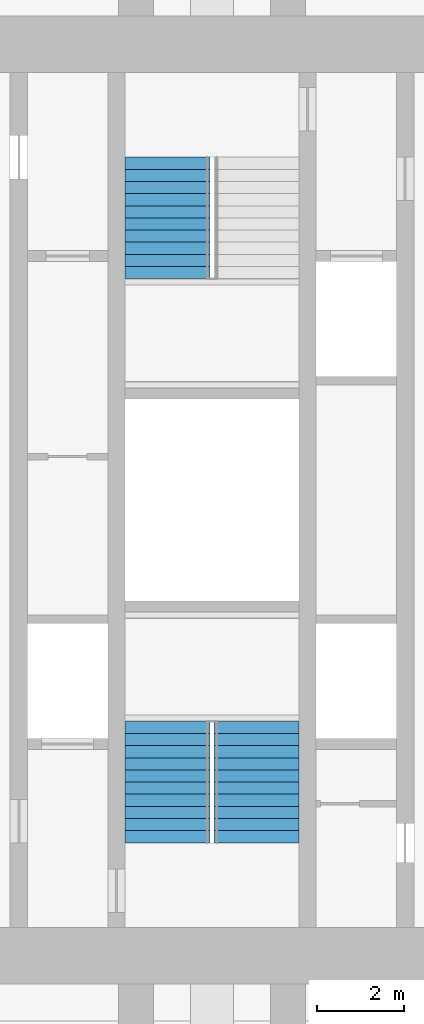
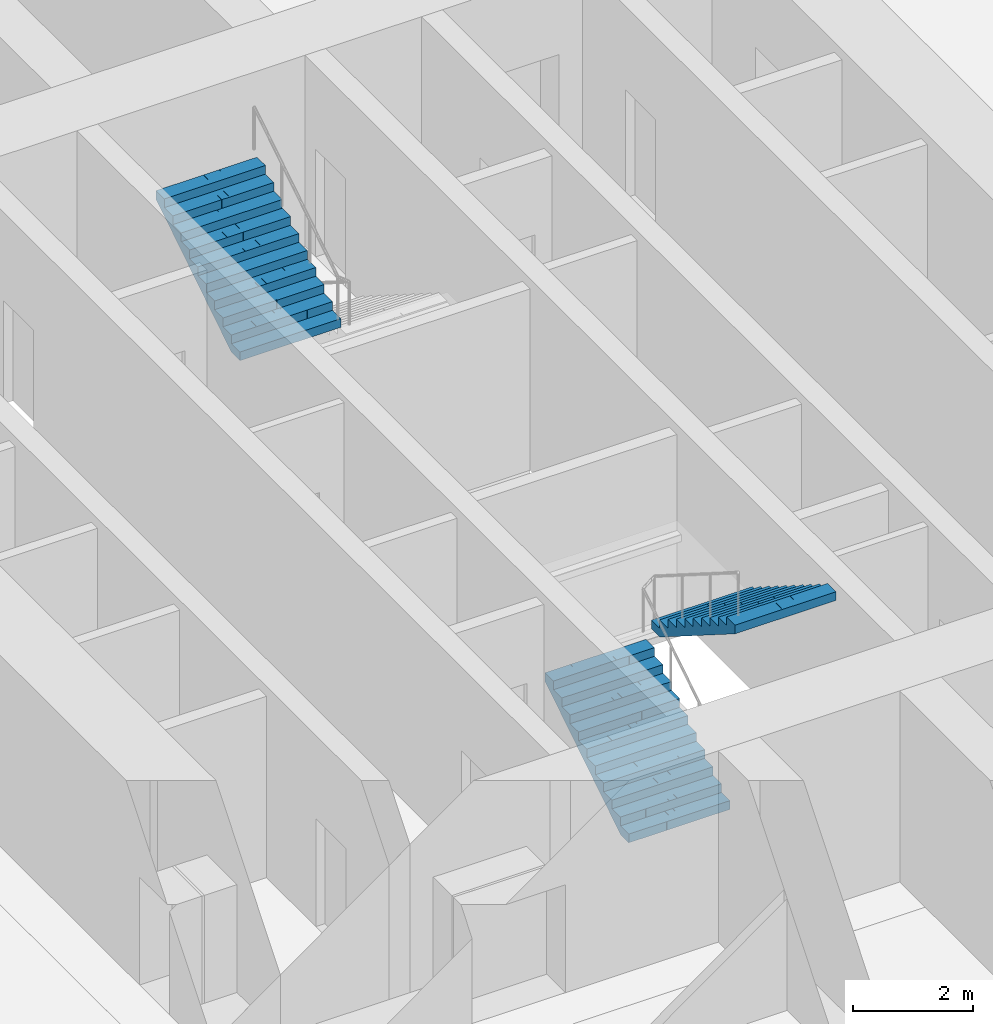
# One storey, part 20 of 22: 3 stair flights, 2 elements without a shape of their own.
"""IFC4 building model written with IfcOpenShell, lengths in metres."""

from ifc_helpers import new_model, si_unit, direction, frame, origin, place, context, subcontext, project, spatial, polyline, outline, extrude, material, type_object, element, aggregate, save


model = new_model("IFC4")

# Units and contexts
model_context = context("Model", 3, precision=1e-05, world=origin(), true_north=direction((0.0, 1.0)))
body_context = subcontext(model_context, "Body", "Model", "MODEL_VIEW")
ifc_project = project(units=[si_unit("LENGTHUNIT", "METRE"), si_unit("AREAUNIT", "SQUARE_METRE"), si_unit("VOLUMEUNIT", "CUBIC_METRE"), si_unit("PLANEANGLEUNIT", "RADIAN"), si_unit("MASSUNIT", "GRAM", prefix="KILO")], contexts=[model_context])

# Site, building, storey
site_placement = place(None, origin())
site = spatial("IfcSite", under=ifc_project, at=site_placement, CompositionType="ELEMENT")
building_placement = place(site_placement, origin())
building = spatial("IfcBuilding", under=site, at=building_placement, Name="Mizan Broadcast Tower", CompositionType="ELEMENT")
storey_placement = place(building_placement, frame((0.0, 0.0, 43.5)))
storey = spatial("IfcBuildingStorey", under=building, at=storey_placement, Name="L07", CompositionType="ELEMENT", Elevation=43.5)

# Stair, stair flights
ifc_material_1 = material(Name="Concrete C40/50", Category="concrete")
stair_type = type_object("IfcStairType", Name="EXIT STAIR", PredefinedType="HALF_TURN_STAIR", material=ifc_material_1)
stair_1_placement = place(storey_placement, origin())
stair_1 = element("IfcStair", 1, at=stair_1_placement, inside=storey, type_object=stair_type, Name="Stair A L07", PredefinedType="HALF_TURN_STAIR")
ifc_material_2 = material(Name="Concrete C40/50", Category="concrete")
stair_flight_type = type_object("IfcStairFlightType", Name="EXIT STAIR FLIGHT", PredefinedType="STRAIGHT", material=ifc_material_2)
stair_flight_1_placement = place(storey_placement, frame((-1.02490234375, -7.89990234375, 0.0), z_axis=(0.0, 0.0, 1.0), x_axis=(0.0, 1.0, 0.0)))
stair_flight_1 = element("IfcStairFlight", 2, at=stair_flight_1_placement, type_object=stair_flight_type, Name="A flight 1", NumberOfRisers=11, NumberOfTreads=10, PredefinedType="STRAIGHT", RiserHeight=0.177272727, TreadLength=0.28, context=body_context, shape_type="SweptSolid", body=[
    extrude(outline(polyline([(0.0, 0.0), (0.0, 0.17724609375), (0.280029296875, 0.17724609375), (0.280029296875, 0.3544921875), (0.56005859375, 0.3544921875), (0.56005859375, 0.53173828125), (0.840087890625, 0.53173828125), (0.840087890625, 0.708984375), (1.1201171875, 0.708984375), (1.1201171875, 0.886474609375), (1.39990234375, 0.886474609375), (1.39990234375, 1.063720703125), (1.679931640625, 1.063720703125), (1.679931640625, 1.240966796875), (1.9599609375, 1.240966796875), (1.9599609375, 1.418212890625), (2.239990234375, 1.418212890625), (2.239990234375, 1.595458984375), (2.52001953125, 1.595458984375), (2.52001953125, 1.772705078125), (2.800048828125, 1.772705078125), (2.800048828125, 1.949951171875), (2.800048828125, 1.59521484375), (0.2802734375, 0.0), (0.0, 0.0)])), frame((0.0, 0.97509765625, 0.0), z_axis=(0.0, -1.0, 0.0), x_axis=(1.0, 0.0, 0.0)), (0.0, 0.0, 1.0), 0.4873046875),
    extrude(outline(polyline([(0.0, 0.0), (0.0, 0.17724609375), (0.280029296875, 0.17724609375), (0.280029296875, 0.3544921875), (0.56005859375, 0.3544921875), (0.56005859375, 0.53173828125), (0.840087890625, 0.53173828125), (0.840087890625, 0.708984375), (1.1201171875, 0.708984375), (1.1201171875, 0.886474609375), (1.39990234375, 0.886474609375), (1.39990234375, 1.063720703125), (1.679931640625, 1.063720703125), (1.679931640625, 1.240966796875), (1.9599609375, 1.240966796875), (1.9599609375, 1.418212890625), (2.239990234375, 1.418212890625), (2.239990234375, 1.595458984375), (2.52001953125, 1.595458984375), (2.52001953125, 1.772705078125), (2.800048828125, 1.772705078125), (2.800048828125, 1.949951171875), (2.800048828125, 1.59521484375), (0.2802734375, 0.0), (0.0, 0.0)])), frame((0.0, 0.4873046875, 0.0), z_axis=(0.0, -1.0, 0.0), x_axis=(1.0, 0.0, 0.0)), (0.0, 0.0, 1.0), 0.2431640625),
    extrude(outline(polyline([(0.0, 0.0), (0.0, 0.17724609375), (0.280029296875, 0.17724609375), (0.280029296875, 0.3544921875), (0.56005859375, 0.3544921875), (0.56005859375, 0.53173828125), (0.840087890625, 0.53173828125), (0.840087890625, 0.708984375), (1.1201171875, 0.708984375), (1.1201171875, 0.886474609375), (1.39990234375, 0.886474609375), (1.39990234375, 1.063720703125), (1.679931640625, 1.063720703125), (1.679931640625, 1.240966796875), (1.9599609375, 1.240966796875), (1.9599609375, 1.418212890625), (2.239990234375, 1.418212890625), (2.239990234375, 1.595458984375), (2.52001953125, 1.595458984375), (2.52001953125, 1.772705078125), (2.800048828125, 1.772705078125), (2.800048828125, 1.949951171875), (2.800048828125, 1.59521484375), (0.2802734375, 0.0), (0.0, 0.0)])), frame((0.0, 0.24365234375, 0.0), z_axis=(0.0, -1.0, 0.0), x_axis=(1.0, 0.0, 0.0)), (0.0, 0.0, 1.0), 0.121337890625),
    extrude(outline(polyline([(0.0, 0.0), (0.0, 0.17724609375), (0.280029296875, 0.17724609375), (0.280029296875, 0.3544921875), (0.56005859375, 0.3544921875), (0.56005859375, 0.53173828125), (0.840087890625, 0.53173828125), (0.840087890625, 0.708984375), (1.1201171875, 0.708984375), (1.1201171875, 0.886474609375), (1.39990234375, 0.886474609375), (1.39990234375, 1.063720703125), (1.679931640625, 1.063720703125), (1.679931640625, 1.240966796875), (1.9599609375, 1.240966796875), (1.9599609375, 1.418212890625), (2.239990234375, 1.418212890625), (2.239990234375, 1.595458984375), (2.52001953125, 1.595458984375), (2.52001953125, 1.772705078125), (2.800048828125, 1.772705078125), (2.800048828125, 1.949951171875), (2.800048828125, 1.59521484375), (0.2802734375, 0.0), (0.0, 0.0)])), frame((0.0, 0.121826171875, 0.0), z_axis=(0.0, -1.0, 0.0), x_axis=(1.0, 0.0, 0.0)), (0.0, 0.0, 1.0), 0.060546875),
    extrude(outline(polyline([(0.0, 0.0), (0.0, 0.17724609375), (0.280029296875, 0.17724609375), (0.280029296875, 0.3544921875), (0.56005859375, 0.3544921875), (0.56005859375, 0.53173828125), (0.840087890625, 0.53173828125), (0.840087890625, 0.708984375), (1.1201171875, 0.708984375), (1.1201171875, 0.886474609375), (1.39990234375, 0.886474609375), (1.39990234375, 1.063720703125), (1.679931640625, 1.063720703125), (1.679931640625, 1.240966796875), (1.9599609375, 1.240966796875), (1.9599609375, 1.418212890625), (2.239990234375, 1.418212890625), (2.239990234375, 1.595458984375), (2.52001953125, 1.595458984375), (2.52001953125, 1.772705078125), (2.800048828125, 1.772705078125), (2.800048828125, 1.949951171875), (2.800048828125, 1.59521484375), (0.2802734375, 0.0), (0.0, 0.0)])), frame((0.0, 0.060791015625, 0.0), z_axis=(0.0, -1.0, 0.0), x_axis=(1.0, 0.0, 0.0)), (0.0, 0.0, 1.0), 0.030029296875),
    extrude(outline(polyline([(0.0, 0.0), (0.0, 0.17724609375), (0.280029296875, 0.17724609375), (0.280029296875, 0.3544921875), (0.56005859375, 0.3544921875), (0.56005859375, 0.53173828125), (0.840087890625, 0.53173828125), (0.840087890625, 0.708984375), (1.1201171875, 0.708984375), (1.1201171875, 0.886474609375), (1.39990234375, 0.886474609375), (1.39990234375, 1.063720703125), (1.679931640625, 1.063720703125), (1.679931640625, 1.240966796875), (1.9599609375, 1.240966796875), (1.9599609375, 1.418212890625), (2.239990234375, 1.418212890625), (2.239990234375, 1.595458984375), (2.52001953125, 1.595458984375), (2.52001953125, 1.772705078125), (2.800048828125, 1.772705078125), (2.800048828125, 1.949951171875), (2.800048828125, 1.59521484375), (0.2802734375, 0.0), (0.0, 0.0)])), frame((0.0, 0.0302734375, 0.0), z_axis=(0.0, -1.0, 0.0), x_axis=(1.0, 0.0, 0.0)), (0.0, 0.0, 1.0), 0.060302734375),
    extrude(outline(polyline([(0.0, 0.0), (0.0, 0.17724609375), (0.280029296875, 0.17724609375), (0.280029296875, 0.3544921875), (0.56005859375, 0.3544921875), (0.56005859375, 0.53173828125), (0.840087890625, 0.53173828125), (0.840087890625, 0.708984375), (1.1201171875, 0.708984375), (1.1201171875, 0.886474609375), (1.39990234375, 0.886474609375), (1.39990234375, 1.063720703125), (1.679931640625, 1.063720703125), (1.679931640625, 1.240966796875), (1.9599609375, 1.240966796875), (1.9599609375, 1.418212890625), (2.239990234375, 1.418212890625), (2.239990234375, 1.595458984375), (2.52001953125, 1.595458984375), (2.52001953125, 1.772705078125), (2.800048828125, 1.772705078125), (2.800048828125, 1.949951171875), (2.800048828125, 1.59521484375), (0.2802734375, 0.0), (0.0, 0.0)])), frame((0.0, -0.030517578125, 0.0), z_axis=(0.0, -1.0, 0.0), x_axis=(1.0, 0.0, 0.0)), (0.0, 0.0, 1.0), 0.030029296875),
    extrude(outline(polyline([(0.0, 0.0), (0.0, 0.17724609375), (0.280029296875, 0.17724609375), (0.280029296875, 0.3544921875), (0.56005859375, 0.3544921875), (0.56005859375, 0.53173828125), (0.840087890625, 0.53173828125), (0.840087890625, 0.708984375), (1.1201171875, 0.708984375), (1.1201171875, 0.886474609375), (1.39990234375, 0.886474609375), (1.39990234375, 1.063720703125), (1.679931640625, 1.063720703125), (1.679931640625, 1.240966796875), (1.9599609375, 1.240966796875), (1.9599609375, 1.418212890625), (2.239990234375, 1.418212890625), (2.239990234375, 1.595458984375), (2.52001953125, 1.595458984375), (2.52001953125, 1.772705078125), (2.800048828125, 1.772705078125), (2.800048828125, 1.949951171875), (2.800048828125, 1.59521484375), (0.2802734375, 0.0), (0.0, 0.0)])), frame((0.0, -0.06103515625, 0.0), z_axis=(0.0, -1.0, 0.0), x_axis=(1.0, 0.0, 0.0)), (0.0, 0.0, 1.0), 0.060546875),
    extrude(outline(polyline([(0.0, 0.0), (0.0, 0.17724609375), (0.280029296875, 0.17724609375), (0.280029296875, 0.3544921875), (0.56005859375, 0.3544921875), (0.56005859375, 0.53173828125), (0.840087890625, 0.53173828125), (0.840087890625, 0.708984375), (1.1201171875, 0.708984375), (1.1201171875, 0.886474609375), (1.39990234375, 0.886474609375), (1.39990234375, 1.063720703125), (1.679931640625, 1.063720703125), (1.679931640625, 1.240966796875), (1.9599609375, 1.240966796875), (1.9599609375, 1.418212890625), (2.239990234375, 1.418212890625), (2.239990234375, 1.595458984375), (2.52001953125, 1.595458984375), (2.52001953125, 1.772705078125), (2.800048828125, 1.772705078125), (2.800048828125, 1.949951171875), (2.800048828125, 1.59521484375), (0.2802734375, 0.0), (0.0, 0.0)])), frame((0.0, -0.1220703125, 0.0), z_axis=(0.0, -1.0, 0.0), x_axis=(1.0, 0.0, 0.0)), (0.0, 0.0, 1.0), 0.121337890625),
    extrude(outline(polyline([(0.0, 0.0), (0.0, 0.17724609375), (0.280029296875, 0.17724609375), (0.280029296875, 0.3544921875), (0.56005859375, 0.3544921875), (0.56005859375, 0.53173828125), (0.840087890625, 0.53173828125), (0.840087890625, 0.708984375), (1.1201171875, 0.708984375), (1.1201171875, 0.886474609375), (1.39990234375, 0.886474609375), (1.39990234375, 1.063720703125), (1.679931640625, 1.063720703125), (1.679931640625, 1.240966796875), (1.9599609375, 1.240966796875), (1.9599609375, 1.418212890625), (2.239990234375, 1.418212890625), (2.239990234375, 1.595458984375), (2.52001953125, 1.595458984375), (2.52001953125, 1.772705078125), (2.800048828125, 1.772705078125), (2.800048828125, 1.949951171875), (2.800048828125, 1.59521484375), (0.2802734375, 0.0), (0.0, 0.0)])), frame((0.0, -0.243896484375, 0.0), z_axis=(0.0, -1.0, 0.0), x_axis=(1.0, 0.0, 0.0)), (0.0, 0.0, 1.0), 0.2431640625),
    extrude(outline(polyline([(0.0, 0.0), (0.0, 0.17724609375), (0.280029296875, 0.17724609375), (0.280029296875, 0.3544921875), (0.56005859375, 0.3544921875), (0.56005859375, 0.53173828125), (0.840087890625, 0.53173828125), (0.840087890625, 0.708984375), (1.1201171875, 0.708984375), (1.1201171875, 0.886474609375), (1.39990234375, 0.886474609375), (1.39990234375, 1.063720703125), (1.679931640625, 1.063720703125), (1.679931640625, 1.240966796875), (1.9599609375, 1.240966796875), (1.9599609375, 1.418212890625), (2.239990234375, 1.418212890625), (2.239990234375, 1.595458984375), (2.52001953125, 1.595458984375), (2.52001953125, 1.772705078125), (2.800048828125, 1.772705078125), (2.800048828125, 1.949951171875), (2.800048828125, 1.59521484375), (0.2802734375, 0.0), (0.0, 0.0)])), frame((0.0, -0.487548828125, 0.0), z_axis=(0.0, -1.0, 0.0), x_axis=(1.0, 0.0, 0.0)), (0.0, 0.0, 1.0), 0.4873046875),
])
stair_flight_2_placement = place(storey_placement, frame((1.02490234375, -5.10009765625, 1.949951171875), z_axis=(0.0, 0.0, 1.0), x_axis=(0.0, -1.0, 0.0)))
stair_flight_2 = element("IfcStairFlight", 3, at=stair_flight_2_placement, type_object=stair_flight_type, Name="A flight 2", NumberOfRisers=11, NumberOfTreads=10, PredefinedType="STRAIGHT", RiserHeight=0.177272727, TreadLength=0.28, context=body_context, shape_type="SweptSolid", body=[
    extrude(outline(polyline([(0.0, 0.0), (0.0, 0.17724609375), (0.280029296875, 0.17724609375), (0.280029296875, 0.3544921875), (0.56005859375, 0.3544921875), (0.56005859375, 0.53173828125), (0.840087890625, 0.53173828125), (0.840087890625, 0.708984375), (1.1201171875, 0.708984375), (1.1201171875, 0.886474609375), (1.39990234375, 0.886474609375), (1.39990234375, 1.063720703125), (1.679931640625, 1.063720703125), (1.679931640625, 1.240966796875), (1.9599609375, 1.240966796875), (1.9599609375, 1.418212890625), (2.239990234375, 1.418212890625), (2.239990234375, 1.595458984375), (2.52001953125, 1.595458984375), (2.52001953125, 1.772705078125), (2.800048828125, 1.772705078125), (2.800048828125, 1.949951171875), (2.800048828125, 1.59521484375), (0.2802734375, 0.0), (0.0, 0.0)])), frame((0.0, 0.97509765625, 0.0), z_axis=(0.0, -1.0, 0.0), x_axis=(1.0, 0.0, 0.0)), (0.0, 0.0, 1.0), 0.4873046875),
    extrude(outline(polyline([(0.0, 0.0), (0.0, 0.17724609375), (0.280029296875, 0.17724609375), (0.280029296875, 0.3544921875), (0.56005859375, 0.3544921875), (0.56005859375, 0.53173828125), (0.840087890625, 0.53173828125), (0.840087890625, 0.708984375), (1.1201171875, 0.708984375), (1.1201171875, 0.886474609375), (1.39990234375, 0.886474609375), (1.39990234375, 1.063720703125), (1.679931640625, 1.063720703125), (1.679931640625, 1.240966796875), (1.9599609375, 1.240966796875), (1.9599609375, 1.418212890625), (2.239990234375, 1.418212890625), (2.239990234375, 1.595458984375), (2.52001953125, 1.595458984375), (2.52001953125, 1.772705078125), (2.800048828125, 1.772705078125), (2.800048828125, 1.949951171875), (2.800048828125, 1.59521484375), (0.2802734375, 0.0), (0.0, 0.0)])), frame((0.0, 0.4873046875, 0.0), z_axis=(0.0, -1.0, 0.0), x_axis=(1.0, 0.0, 0.0)), (0.0, 0.0, 1.0), 0.2431640625),
    extrude(outline(polyline([(0.0, 0.0), (0.0, 0.17724609375), (0.280029296875, 0.17724609375), (0.280029296875, 0.3544921875), (0.56005859375, 0.3544921875), (0.56005859375, 0.53173828125), (0.840087890625, 0.53173828125), (0.840087890625, 0.708984375), (1.1201171875, 0.708984375), (1.1201171875, 0.886474609375), (1.39990234375, 0.886474609375), (1.39990234375, 1.063720703125), (1.679931640625, 1.063720703125), (1.679931640625, 1.240966796875), (1.9599609375, 1.240966796875), (1.9599609375, 1.418212890625), (2.239990234375, 1.418212890625), (2.239990234375, 1.595458984375), (2.52001953125, 1.595458984375), (2.52001953125, 1.772705078125), (2.800048828125, 1.772705078125), (2.800048828125, 1.949951171875), (2.800048828125, 1.59521484375), (0.2802734375, 0.0), (0.0, 0.0)])), frame((0.0, 0.24365234375, 0.0), z_axis=(0.0, -1.0, 0.0), x_axis=(1.0, 0.0, 0.0)), (0.0, 0.0, 1.0), 0.121337890625),
    extrude(outline(polyline([(0.0, 0.0), (0.0, 0.17724609375), (0.280029296875, 0.17724609375), (0.280029296875, 0.3544921875), (0.56005859375, 0.3544921875), (0.56005859375, 0.53173828125), (0.840087890625, 0.53173828125), (0.840087890625, 0.708984375), (1.1201171875, 0.708984375), (1.1201171875, 0.886474609375), (1.39990234375, 0.886474609375), (1.39990234375, 1.063720703125), (1.679931640625, 1.063720703125), (1.679931640625, 1.240966796875), (1.9599609375, 1.240966796875), (1.9599609375, 1.418212890625), (2.239990234375, 1.418212890625), (2.239990234375, 1.595458984375), (2.52001953125, 1.595458984375), (2.52001953125, 1.772705078125), (2.800048828125, 1.772705078125), (2.800048828125, 1.949951171875), (2.800048828125, 1.59521484375), (0.2802734375, 0.0), (0.0, 0.0)])), frame((0.0, 0.121826171875, 0.0), z_axis=(0.0, -1.0, 0.0), x_axis=(1.0, 0.0, 0.0)), (0.0, 0.0, 1.0), 0.060546875),
    extrude(outline(polyline([(0.0, 0.0), (0.0, 0.17724609375), (0.280029296875, 0.17724609375), (0.280029296875, 0.3544921875), (0.56005859375, 0.3544921875), (0.56005859375, 0.53173828125), (0.840087890625, 0.53173828125), (0.840087890625, 0.708984375), (1.1201171875, 0.708984375), (1.1201171875, 0.886474609375), (1.39990234375, 0.886474609375), (1.39990234375, 1.063720703125), (1.679931640625, 1.063720703125), (1.679931640625, 1.240966796875), (1.9599609375, 1.240966796875), (1.9599609375, 1.418212890625), (2.239990234375, 1.418212890625), (2.239990234375, 1.595458984375), (2.52001953125, 1.595458984375), (2.52001953125, 1.772705078125), (2.800048828125, 1.772705078125), (2.800048828125, 1.949951171875), (2.800048828125, 1.59521484375), (0.2802734375, 0.0), (0.0, 0.0)])), frame((0.0, 0.060791015625, 0.0), z_axis=(0.0, -1.0, 0.0), x_axis=(1.0, 0.0, 0.0)), (0.0, 0.0, 1.0), 0.030029296875),
    extrude(outline(polyline([(0.0, 0.0), (0.0, 0.17724609375), (0.280029296875, 0.17724609375), (0.280029296875, 0.3544921875), (0.56005859375, 0.3544921875), (0.56005859375, 0.53173828125), (0.840087890625, 0.53173828125), (0.840087890625, 0.708984375), (1.1201171875, 0.708984375), (1.1201171875, 0.886474609375), (1.39990234375, 0.886474609375), (1.39990234375, 1.063720703125), (1.679931640625, 1.063720703125), (1.679931640625, 1.240966796875), (1.9599609375, 1.240966796875), (1.9599609375, 1.418212890625), (2.239990234375, 1.418212890625), (2.239990234375, 1.595458984375), (2.52001953125, 1.595458984375), (2.52001953125, 1.772705078125), (2.800048828125, 1.772705078125), (2.800048828125, 1.949951171875), (2.800048828125, 1.59521484375), (0.2802734375, 0.0), (0.0, 0.0)])), frame((0.0, 0.0302734375, 0.0), z_axis=(0.0, -1.0, 0.0), x_axis=(1.0, 0.0, 0.0)), (0.0, 0.0, 1.0), 0.060302734375),
    extrude(outline(polyline([(0.0, 0.0), (0.0, 0.17724609375), (0.280029296875, 0.17724609375), (0.280029296875, 0.3544921875), (0.56005859375, 0.3544921875), (0.56005859375, 0.53173828125), (0.840087890625, 0.53173828125), (0.840087890625, 0.708984375), (1.1201171875, 0.708984375), (1.1201171875, 0.886474609375), (1.39990234375, 0.886474609375), (1.39990234375, 1.063720703125), (1.679931640625, 1.063720703125), (1.679931640625, 1.240966796875), (1.9599609375, 1.240966796875), (1.9599609375, 1.418212890625), (2.239990234375, 1.418212890625), (2.239990234375, 1.595458984375), (2.52001953125, 1.595458984375), (2.52001953125, 1.772705078125), (2.800048828125, 1.772705078125), (2.800048828125, 1.949951171875), (2.800048828125, 1.59521484375), (0.2802734375, 0.0), (0.0, 0.0)])), frame((0.0, -0.030517578125, 0.0), z_axis=(0.0, -1.0, 0.0), x_axis=(1.0, 0.0, 0.0)), (0.0, 0.0, 1.0), 0.030029296875),
    extrude(outline(polyline([(0.0, 0.0), (0.0, 0.17724609375), (0.280029296875, 0.17724609375), (0.280029296875, 0.3544921875), (0.56005859375, 0.3544921875), (0.56005859375, 0.53173828125), (0.840087890625, 0.53173828125), (0.840087890625, 0.708984375), (1.1201171875, 0.708984375), (1.1201171875, 0.886474609375), (1.39990234375, 0.886474609375), (1.39990234375, 1.063720703125), (1.679931640625, 1.063720703125), (1.679931640625, 1.240966796875), (1.9599609375, 1.240966796875), (1.9599609375, 1.418212890625), (2.239990234375, 1.418212890625), (2.239990234375, 1.595458984375), (2.52001953125, 1.595458984375), (2.52001953125, 1.772705078125), (2.800048828125, 1.772705078125), (2.800048828125, 1.949951171875), (2.800048828125, 1.59521484375), (0.2802734375, 0.0), (0.0, 0.0)])), frame((0.0, -0.06103515625, 0.0), z_axis=(0.0, -1.0, 0.0), x_axis=(1.0, 0.0, 0.0)), (0.0, 0.0, 1.0), 0.060546875),
    extrude(outline(polyline([(0.0, 0.0), (0.0, 0.17724609375), (0.280029296875, 0.17724609375), (0.280029296875, 0.3544921875), (0.56005859375, 0.3544921875), (0.56005859375, 0.53173828125), (0.840087890625, 0.53173828125), (0.840087890625, 0.708984375), (1.1201171875, 0.708984375), (1.1201171875, 0.886474609375), (1.39990234375, 0.886474609375), (1.39990234375, 1.063720703125), (1.679931640625, 1.063720703125), (1.679931640625, 1.240966796875), (1.9599609375, 1.240966796875), (1.9599609375, 1.418212890625), (2.239990234375, 1.418212890625), (2.239990234375, 1.595458984375), (2.52001953125, 1.595458984375), (2.52001953125, 1.772705078125), (2.800048828125, 1.772705078125), (2.800048828125, 1.949951171875), (2.800048828125, 1.59521484375), (0.2802734375, 0.0), (0.0, 0.0)])), frame((0.0, -0.1220703125, 0.0), z_axis=(0.0, -1.0, 0.0), x_axis=(1.0, 0.0, 0.0)), (0.0, 0.0, 1.0), 0.121337890625),
    extrude(outline(polyline([(0.0, 0.0), (0.0, 0.17724609375), (0.280029296875, 0.17724609375), (0.280029296875, 0.3544921875), (0.56005859375, 0.3544921875), (0.56005859375, 0.53173828125), (0.840087890625, 0.53173828125), (0.840087890625, 0.708984375), (1.1201171875, 0.708984375), (1.1201171875, 0.886474609375), (1.39990234375, 0.886474609375), (1.39990234375, 1.063720703125), (1.679931640625, 1.063720703125), (1.679931640625, 1.240966796875), (1.9599609375, 1.240966796875), (1.9599609375, 1.418212890625), (2.239990234375, 1.418212890625), (2.239990234375, 1.595458984375), (2.52001953125, 1.595458984375), (2.52001953125, 1.772705078125), (2.800048828125, 1.772705078125), (2.800048828125, 1.949951171875), (2.800048828125, 1.59521484375), (0.2802734375, 0.0), (0.0, 0.0)])), frame((0.0, -0.243896484375, 0.0), z_axis=(0.0, -1.0, 0.0), x_axis=(1.0, 0.0, 0.0)), (0.0, 0.0, 1.0), 0.2431640625),
    extrude(outline(polyline([(0.0, 0.0), (0.0, 0.17724609375), (0.280029296875, 0.17724609375), (0.280029296875, 0.3544921875), (0.56005859375, 0.3544921875), (0.56005859375, 0.53173828125), (0.840087890625, 0.53173828125), (0.840087890625, 0.708984375), (1.1201171875, 0.708984375), (1.1201171875, 0.886474609375), (1.39990234375, 0.886474609375), (1.39990234375, 1.063720703125), (1.679931640625, 1.063720703125), (1.679931640625, 1.240966796875), (1.9599609375, 1.240966796875), (1.9599609375, 1.418212890625), (2.239990234375, 1.418212890625), (2.239990234375, 1.595458984375), (2.52001953125, 1.595458984375), (2.52001953125, 1.772705078125), (2.800048828125, 1.772705078125), (2.800048828125, 1.949951171875), (2.800048828125, 1.59521484375), (0.2802734375, 0.0), (0.0, 0.0)])), frame((0.0, -0.487548828125, 0.0), z_axis=(0.0, -1.0, 0.0), x_axis=(1.0, 0.0, 0.0)), (0.0, 0.0, 1.0), 0.4873046875),
])
aggregate(stair_1, [stair_flight_1, stair_flight_2])

# Stair, stair flight
stair_2_placement = place(storey_placement, origin())
stair_2 = element("IfcStair", 4, at=stair_2_placement, inside=storey, type_object=stair_type, Name="Stair B L07", PredefinedType="HALF_TURN_STAIR")
stair_flight_3_placement = place(storey_placement, frame((-1.02490234375, 5.10009765625, 1.949951171875), z_axis=(0.0, 0.0, 1.0), x_axis=(0.0, 1.0, 0.0)))
stair_flight_3 = element("IfcStairFlight", 5, at=stair_flight_3_placement, type_object=stair_flight_type, Name="B flight 2", NumberOfRisers=11, NumberOfTreads=10, PredefinedType="STRAIGHT", RiserHeight=0.177272727, TreadLength=0.28, context=body_context, shape_type="SweptSolid", body=[
    extrude(outline(polyline([(0.0, 0.0), (0.0, 0.17724609375), (0.280029296875, 0.17724609375), (0.280029296875, 0.3544921875), (0.56005859375, 0.3544921875), (0.56005859375, 0.53173828125), (0.840087890625, 0.53173828125), (0.840087890625, 0.708984375), (1.1201171875, 0.708984375), (1.1201171875, 0.886474609375), (1.39990234375, 0.886474609375), (1.39990234375, 1.063720703125), (1.679931640625, 1.063720703125), (1.679931640625, 1.240966796875), (1.9599609375, 1.240966796875), (1.9599609375, 1.418212890625), (2.239990234375, 1.418212890625), (2.239990234375, 1.595458984375), (2.52001953125, 1.595458984375), (2.52001953125, 1.772705078125), (2.800048828125, 1.772705078125), (2.800048828125, 1.949951171875), (2.800048828125, 1.59521484375), (0.2802734375, 0.0), (0.0, 0.0)])), frame((0.0, 0.97509765625, 0.0), z_axis=(0.0, -1.0, 0.0), x_axis=(1.0, 0.0, 0.0)), (0.0, 0.0, 1.0), 0.4873046875),
    extrude(outline(polyline([(0.0, 0.0), (0.0, 0.17724609375), (0.280029296875, 0.17724609375), (0.280029296875, 0.3544921875), (0.56005859375, 0.3544921875), (0.56005859375, 0.53173828125), (0.840087890625, 0.53173828125), (0.840087890625, 0.708984375), (1.1201171875, 0.708984375), (1.1201171875, 0.886474609375), (1.39990234375, 0.886474609375), (1.39990234375, 1.063720703125), (1.679931640625, 1.063720703125), (1.679931640625, 1.240966796875), (1.9599609375, 1.240966796875), (1.9599609375, 1.418212890625), (2.239990234375, 1.418212890625), (2.239990234375, 1.595458984375), (2.52001953125, 1.595458984375), (2.52001953125, 1.772705078125), (2.800048828125, 1.772705078125), (2.800048828125, 1.949951171875), (2.800048828125, 1.59521484375), (0.2802734375, 0.0), (0.0, 0.0)])), frame((0.0, 0.4873046875, 0.0), z_axis=(0.0, -1.0, 0.0), x_axis=(1.0, 0.0, 0.0)), (0.0, 0.0, 1.0), 0.2431640625),
    extrude(outline(polyline([(0.0, 0.0), (0.0, 0.17724609375), (0.280029296875, 0.17724609375), (0.280029296875, 0.3544921875), (0.56005859375, 0.3544921875), (0.56005859375, 0.53173828125), (0.840087890625, 0.53173828125), (0.840087890625, 0.708984375), (1.1201171875, 0.708984375), (1.1201171875, 0.886474609375), (1.39990234375, 0.886474609375), (1.39990234375, 1.063720703125), (1.679931640625, 1.063720703125), (1.679931640625, 1.240966796875), (1.9599609375, 1.240966796875), (1.9599609375, 1.418212890625), (2.239990234375, 1.418212890625), (2.239990234375, 1.595458984375), (2.52001953125, 1.595458984375), (2.52001953125, 1.772705078125), (2.800048828125, 1.772705078125), (2.800048828125, 1.949951171875), (2.800048828125, 1.59521484375), (0.2802734375, 0.0), (0.0, 0.0)])), frame((0.0, 0.24365234375, 0.0), z_axis=(0.0, -1.0, 0.0), x_axis=(1.0, 0.0, 0.0)), (0.0, 0.0, 1.0), 0.121337890625),
    extrude(outline(polyline([(0.0, 0.0), (0.0, 0.17724609375), (0.280029296875, 0.17724609375), (0.280029296875, 0.3544921875), (0.56005859375, 0.3544921875), (0.56005859375, 0.53173828125), (0.840087890625, 0.53173828125), (0.840087890625, 0.708984375), (1.1201171875, 0.708984375), (1.1201171875, 0.886474609375), (1.39990234375, 0.886474609375), (1.39990234375, 1.063720703125), (1.679931640625, 1.063720703125), (1.679931640625, 1.240966796875), (1.9599609375, 1.240966796875), (1.9599609375, 1.418212890625), (2.239990234375, 1.418212890625), (2.239990234375, 1.595458984375), (2.52001953125, 1.595458984375), (2.52001953125, 1.772705078125), (2.800048828125, 1.772705078125), (2.800048828125, 1.949951171875), (2.800048828125, 1.59521484375), (0.2802734375, 0.0), (0.0, 0.0)])), frame((0.0, 0.121826171875, 0.0), z_axis=(0.0, -1.0, 0.0), x_axis=(1.0, 0.0, 0.0)), (0.0, 0.0, 1.0), 0.060546875),
    extrude(outline(polyline([(0.0, 0.0), (0.0, 0.17724609375), (0.280029296875, 0.17724609375), (0.280029296875, 0.3544921875), (0.56005859375, 0.3544921875), (0.56005859375, 0.53173828125), (0.840087890625, 0.53173828125), (0.840087890625, 0.708984375), (1.1201171875, 0.708984375), (1.1201171875, 0.886474609375), (1.39990234375, 0.886474609375), (1.39990234375, 1.063720703125), (1.679931640625, 1.063720703125), (1.679931640625, 1.240966796875), (1.9599609375, 1.240966796875), (1.9599609375, 1.418212890625), (2.239990234375, 1.418212890625), (2.239990234375, 1.595458984375), (2.52001953125, 1.595458984375), (2.52001953125, 1.772705078125), (2.800048828125, 1.772705078125), (2.800048828125, 1.949951171875), (2.800048828125, 1.59521484375), (0.2802734375, 0.0), (0.0, 0.0)])), frame((0.0, 0.060791015625, 0.0), z_axis=(0.0, -1.0, 0.0), x_axis=(1.0, 0.0, 0.0)), (0.0, 0.0, 1.0), 0.030029296875),
    extrude(outline(polyline([(0.0, 0.0), (0.0, 0.17724609375), (0.280029296875, 0.17724609375), (0.280029296875, 0.3544921875), (0.56005859375, 0.3544921875), (0.56005859375, 0.53173828125), (0.840087890625, 0.53173828125), (0.840087890625, 0.708984375), (1.1201171875, 0.708984375), (1.1201171875, 0.886474609375), (1.39990234375, 0.886474609375), (1.39990234375, 1.063720703125), (1.679931640625, 1.063720703125), (1.679931640625, 1.240966796875), (1.9599609375, 1.240966796875), (1.9599609375, 1.418212890625), (2.239990234375, 1.418212890625), (2.239990234375, 1.595458984375), (2.52001953125, 1.595458984375), (2.52001953125, 1.772705078125), (2.800048828125, 1.772705078125), (2.800048828125, 1.949951171875), (2.800048828125, 1.59521484375), (0.2802734375, 0.0), (0.0, 0.0)])), frame((0.0, 0.0302734375, 0.0), z_axis=(0.0, -1.0, 0.0), x_axis=(1.0, 0.0, 0.0)), (0.0, 0.0, 1.0), 0.060302734375),
    extrude(outline(polyline([(0.0, 0.0), (0.0, 0.17724609375), (0.280029296875, 0.17724609375), (0.280029296875, 0.3544921875), (0.56005859375, 0.3544921875), (0.56005859375, 0.53173828125), (0.840087890625, 0.53173828125), (0.840087890625, 0.708984375), (1.1201171875, 0.708984375), (1.1201171875, 0.886474609375), (1.39990234375, 0.886474609375), (1.39990234375, 1.063720703125), (1.679931640625, 1.063720703125), (1.679931640625, 1.240966796875), (1.9599609375, 1.240966796875), (1.9599609375, 1.418212890625), (2.239990234375, 1.418212890625), (2.239990234375, 1.595458984375), (2.52001953125, 1.595458984375), (2.52001953125, 1.772705078125), (2.800048828125, 1.772705078125), (2.800048828125, 1.949951171875), (2.800048828125, 1.59521484375), (0.2802734375, 0.0), (0.0, 0.0)])), frame((0.0, -0.030517578125, 0.0), z_axis=(0.0, -1.0, 0.0), x_axis=(1.0, 0.0, 0.0)), (0.0, 0.0, 1.0), 0.030029296875),
    extrude(outline(polyline([(0.0, 0.0), (0.0, 0.17724609375), (0.280029296875, 0.17724609375), (0.280029296875, 0.3544921875), (0.56005859375, 0.3544921875), (0.56005859375, 0.53173828125), (0.840087890625, 0.53173828125), (0.840087890625, 0.708984375), (1.1201171875, 0.708984375), (1.1201171875, 0.886474609375), (1.39990234375, 0.886474609375), (1.39990234375, 1.063720703125), (1.679931640625, 1.063720703125), (1.679931640625, 1.240966796875), (1.9599609375, 1.240966796875), (1.9599609375, 1.418212890625), (2.239990234375, 1.418212890625), (2.239990234375, 1.595458984375), (2.52001953125, 1.595458984375), (2.52001953125, 1.772705078125), (2.800048828125, 1.772705078125), (2.800048828125, 1.949951171875), (2.800048828125, 1.59521484375), (0.2802734375, 0.0), (0.0, 0.0)])), frame((0.0, -0.06103515625, 0.0), z_axis=(0.0, -1.0, 0.0), x_axis=(1.0, 0.0, 0.0)), (0.0, 0.0, 1.0), 0.060546875),
    extrude(outline(polyline([(0.0, 0.0), (0.0, 0.17724609375), (0.280029296875, 0.17724609375), (0.280029296875, 0.3544921875), (0.56005859375, 0.3544921875), (0.56005859375, 0.53173828125), (0.840087890625, 0.53173828125), (0.840087890625, 0.708984375), (1.1201171875, 0.708984375), (1.1201171875, 0.886474609375), (1.39990234375, 0.886474609375), (1.39990234375, 1.063720703125), (1.679931640625, 1.063720703125), (1.679931640625, 1.240966796875), (1.9599609375, 1.240966796875), (1.9599609375, 1.418212890625), (2.239990234375, 1.418212890625), (2.239990234375, 1.595458984375), (2.52001953125, 1.595458984375), (2.52001953125, 1.772705078125), (2.800048828125, 1.772705078125), (2.800048828125, 1.949951171875), (2.800048828125, 1.59521484375), (0.2802734375, 0.0), (0.0, 0.0)])), frame((0.0, -0.1220703125, 0.0), z_axis=(0.0, -1.0, 0.0), x_axis=(1.0, 0.0, 0.0)), (0.0, 0.0, 1.0), 0.121337890625),
    extrude(outline(polyline([(0.0, 0.0), (0.0, 0.17724609375), (0.280029296875, 0.17724609375), (0.280029296875, 0.3544921875), (0.56005859375, 0.3544921875), (0.56005859375, 0.53173828125), (0.840087890625, 0.53173828125), (0.840087890625, 0.708984375), (1.1201171875, 0.708984375), (1.1201171875, 0.886474609375), (1.39990234375, 0.886474609375), (1.39990234375, 1.063720703125), (1.679931640625, 1.063720703125), (1.679931640625, 1.240966796875), (1.9599609375, 1.240966796875), (1.9599609375, 1.418212890625), (2.239990234375, 1.418212890625), (2.239990234375, 1.595458984375), (2.52001953125, 1.595458984375), (2.52001953125, 1.772705078125), (2.800048828125, 1.772705078125), (2.800048828125, 1.949951171875), (2.800048828125, 1.59521484375), (0.2802734375, 0.0), (0.0, 0.0)])), frame((0.0, -0.243896484375, 0.0), z_axis=(0.0, -1.0, 0.0), x_axis=(1.0, 0.0, 0.0)), (0.0, 0.0, 1.0), 0.2431640625),
    extrude(outline(polyline([(0.0, 0.0), (0.0, 0.17724609375), (0.280029296875, 0.17724609375), (0.280029296875, 0.3544921875), (0.56005859375, 0.3544921875), (0.56005859375, 0.53173828125), (0.840087890625, 0.53173828125), (0.840087890625, 0.708984375), (1.1201171875, 0.708984375), (1.1201171875, 0.886474609375), (1.39990234375, 0.886474609375), (1.39990234375, 1.063720703125), (1.679931640625, 1.063720703125), (1.679931640625, 1.240966796875), (1.9599609375, 1.240966796875), (1.9599609375, 1.418212890625), (2.239990234375, 1.418212890625), (2.239990234375, 1.595458984375), (2.52001953125, 1.595458984375), (2.52001953125, 1.772705078125), (2.800048828125, 1.772705078125), (2.800048828125, 1.949951171875), (2.800048828125, 1.59521484375), (0.2802734375, 0.0), (0.0, 0.0)])), frame((0.0, -0.487548828125, 0.0), z_axis=(0.0, -1.0, 0.0), x_axis=(1.0, 0.0, 0.0)), (0.0, 0.0, 1.0), 0.4873046875),
])
aggregate(stair_2, [stair_flight_3])

save(model, "model.ifc")
